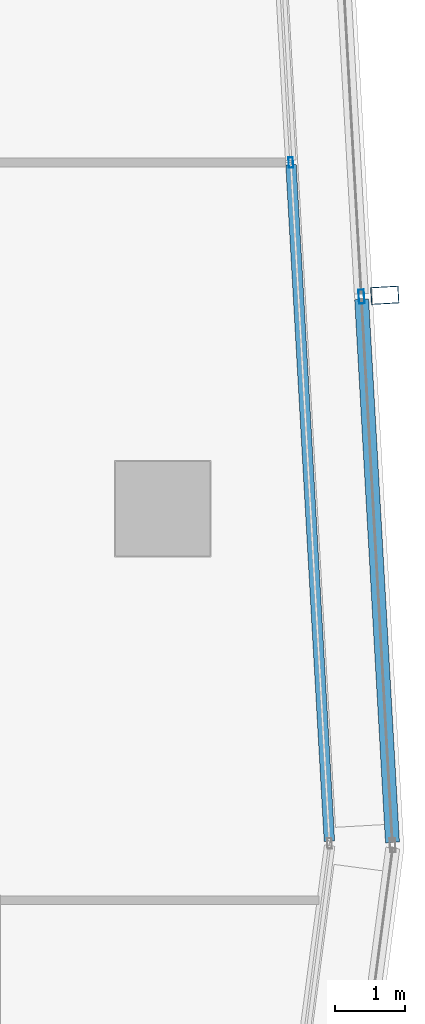
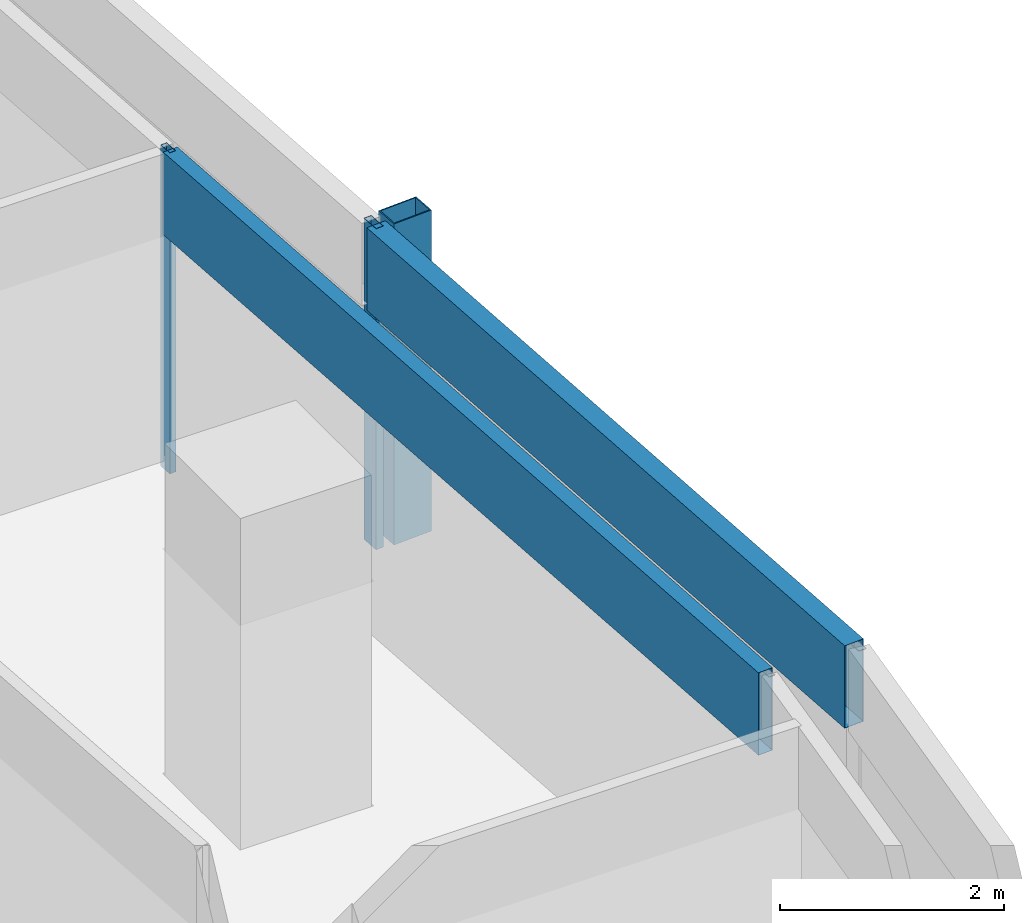
# One storey, part 14 of 40: 5 members, 2 elements without a shape of their own.
"""IFC4 building model written with IfcOpenShell, lengths in metres."""

from ifc_helpers import new_model, si_unit, direction, frame, origin, origin_2d, place, context, subcontext, project, spatial, hollow_rectangle, extrude, material, material_profile, profile_set, type_object, element, aggregate, save


model = new_model("IFC4")

# Units and contexts
model_context = context("Model", 3, precision=1e-05, world=origin(), true_north=direction((0.0, 1.0)))
body_context = subcontext(model_context, "Body", "Model", "MODEL_VIEW")
ifc_project = project(units=[si_unit("LENGTHUNIT", "METRE"), si_unit("AREAUNIT", "SQUARE_METRE"), si_unit("VOLUMEUNIT", "CUBIC_METRE"), si_unit("PLANEANGLEUNIT", "RADIAN"), si_unit("MASSUNIT", "GRAM", prefix="KILO")], contexts=[model_context])

# Site, building, storey
site_placement = place(None, origin())
site = spatial("IfcSite", under=ifc_project, at=site_placement, CompositionType="ELEMENT")
building_placement = place(site_placement, origin())
building = spatial("IfcBuilding", under=site, at=building_placement, Name="Rekha Terrace Tower", CompositionType="ELEMENT")
storey_placement = place(building_placement, frame((0.0, 0.0, 210.199951171875)))
storey = spatial("IfcBuildingStorey", under=building, at=storey_placement, Name="L53", CompositionType="ELEMENT", Elevation=210.199951171875)

# Curtain wall, member
ifc_material_1 = material(Name="Aluminium framing", Category="aluminium")
curtain_wall_type_1 = type_object("IfcCurtainWallType", Name="CW2 double skin outer glazing", PredefinedType="USERDEFINED", material=ifc_material_1)
curtain_wall_1_placement = place(storey_placement, origin())
curtain_wall_1 = element("IfcCurtainWall", 1, at=curtain_wall_1_placement, inside=storey, type_object=curtain_wall_type_1, Name="CW2 double skin outer glazing", ObjectType="DOUBLE SKIN OUTER GLAZING", PredefinedType="USERDEFINED")
ifc_material_2 = material(Name="Steel S355 with fluorocarbon finish", Category="steel")
ifc_material_profile_1 = material_profile(ifc_material_2, hollow_rectangle(XDim=0.25, YDim=0.39990234375, WallThickness=0.012451171875, at=origin_2d()), Name="RHS400x250x12.5")
ifc_profile_set_1 = profile_set([ifc_material_profile_1], Name="Steel S355 with fluorocarbon finish")
member_type_1 = type_object("IfcMemberType", Name="BL1 facade blade RHS 400 x 250", PredefinedType="USERDEFINED", material=ifc_profile_set_1)
member_1_placement = place(storey_placement, frame((61.975830078125, 36.65576171875, 0.0), z_axis=(0.0, 0.0, 1.0), x_axis=(-0.056673619809, 0.998392758797, 0.0)))
member_1 = element("IfcMember", 2, at=member_1_placement, type_object=member_type_1, Name="Facade blade", ObjectType="FACADE BLADE", PredefinedType="USERDEFINED", context=body_context, shape_type="SweptSolid", body=[
    extrude(hollow_rectangle(XDim=0.25, YDim=0.39990234375, WallThickness=0.012451171875, at=origin_2d()), origin(), (0.0, 0.0, 1.0), 3.5),
])

# Curtain wall, members
curtain_wall_type_2 = type_object("IfcCurtainWallType", Name="CW1 double skin inner glazing", PredefinedType="USERDEFINED", material=ifc_material_1)
curtain_wall_2_placement = place(storey_placement, origin())
curtain_wall_2 = element("IfcCurtainWall", 3, at=curtain_wall_2_placement, inside=storey, type_object=curtain_wall_type_2, Name="CW1 double skin inner glazing", ObjectType="DOUBLE SKIN INNER GLAZING", PredefinedType="USERDEFINED")
ifc_material_3 = material(Name="Aluminium mullion section", Category="aluminium")
ifc_material_profile_2 = material_profile(ifc_material_3, hollow_rectangle(XDim=0.06494140625, YDim=0.14990234375, WallThickness=0.00390625, at=origin_2d()), Name="AL RHS 65x150")
ifc_profile_set_2 = profile_set([ifc_material_profile_2], Name="Aluminium mullion section")
member_type_2 = type_object("IfcMemberType", Name="CW1 mullion RHS 65 x 150", PredefinedType="MULLION", material=ifc_profile_set_2)
member_2_placement = place(storey_placement, frame((60.631103515625, 38.555908203125, 0.0), z_axis=(0.0, 0.0, 1.0), x_axis=(-0.998392782919, -0.05667319486, 0.0)))
member_2 = element("IfcMember", 4, at=member_2_placement, type_object=member_type_2, Name="CW1 mullion 2", PredefinedType="MULLION", context=body_context, shape_type="SweptSolid", body=[
    extrude(hollow_rectangle(XDim=0.06494140625, YDim=0.14990234375, WallThickness=0.00390625, at=origin_2d()), origin(), (0.0, 0.0, 1.0), 3.5),
])
ifc_material_4 = material(Name="Insulated aluminium spandrel box", Category="aluminium")
ifc_material_profile_3 = material_profile(ifc_material_4, hollow_rectangle(XDim=0.14990234375, YDim=0.89990234375, WallThickness=0.0029296875, at=origin_2d()), Name="AL SPANDREL BOX 150x900")
ifc_profile_set_3 = profile_set([ifc_material_profile_3], Name="Insulated aluminium spandrel box")
member_type_3 = type_object("IfcMemberType", Name="CW1 spandrel transom 150 x 900", PredefinedType="USERDEFINED", material=ifc_profile_set_3)
member_3_placement = place(storey_placement, frame((61.182373046875, 28.8447265625, 3.050048828125), z_axis=(-0.056663932611, 0.998393308642, 0.0), x_axis=(-0.998393308642, -0.056663932611, 0.0)))
member_3 = element("IfcMember", 5, at=member_3_placement, type_object=member_type_3, Name="CW1 spandrel transom 1", ObjectType="TRANSOM", PredefinedType="USERDEFINED", context=body_context, shape_type="SweptSolid", body=[
    extrude(hollow_rectangle(XDim=0.14990234375, YDim=0.89990234375, WallThickness=0.0029296875, at=origin_2d()), origin(), (0.0, 0.0, 1.0), 9.6943359375),
])
aggregate(curtain_wall_2, [member_2, member_3])

# Member
ifc_material_profile_4 = material_profile(ifc_material_3, hollow_rectangle(XDim=0.080078125, YDim=0.199951171875, WallThickness=0.00390625, at=origin_2d()), Name="AL RHS 80x200")
ifc_profile_set_4 = profile_set([ifc_material_profile_4], Name="Aluminium mullion section")
member_type_4 = type_object("IfcMemberType", Name="CW2 mullion RHS 80 x 200", PredefinedType="MULLION", material=ifc_profile_set_4)
member_4_placement = place(storey_placement, frame((61.6416015625, 36.63671875, 0.0), z_axis=(0.0, 0.0, 1.0), x_axis=(-0.998392782919, -0.05667319486, 0.0)))
member_4 = element("IfcMember", 6, at=member_4_placement, type_object=member_type_4, Name="CW2 mullion 2", PredefinedType="MULLION", context=body_context, shape_type="SweptSolid", body=[
    extrude(hollow_rectangle(XDim=0.080078125, YDim=0.199951171875, WallThickness=0.00390625, at=origin_2d()), origin(), (0.0, 0.0, 1.0), 3.5),
])

ifc_material_profile_5 = material_profile(ifc_material_4, hollow_rectangle(XDim=0.199951171875, YDim=0.89990234375, WallThickness=0.0029296875, at=origin_2d()), Name="AL SPANDREL BOX 200x900")
ifc_profile_set_5 = profile_set([ifc_material_profile_5], Name="Insulated aluminium spandrel box")
member_type_5 = type_object("IfcMemberType", Name="CW2 spandrel transom 200 x 900", PredefinedType="USERDEFINED", material=ifc_profile_set_5)
member_5_placement = place(storey_placement, frame((62.0849609375, 28.825927734375, 3.050048828125), z_axis=(-0.05667908121, 0.998392448766, 0.0), x_axis=(-0.998392448766, -0.05667908121, 0.0)))
member_5 = element("IfcMember", 7, at=member_5_placement, type_object=member_type_5, Name="CW2 spandrel transom 1", ObjectType="TRANSOM", PredefinedType="USERDEFINED", context=body_context, shape_type="SweptSolid", body=[
    extrude(hollow_rectangle(XDim=0.199951171875, YDim=0.89990234375, WallThickness=0.0029296875, at=origin_2d()), origin(), (0.0, 0.0, 1.0), 7.783447265625),
])

aggregate(curtain_wall_1, [member_4, member_5, member_1])

save(model, "model.ifc")
